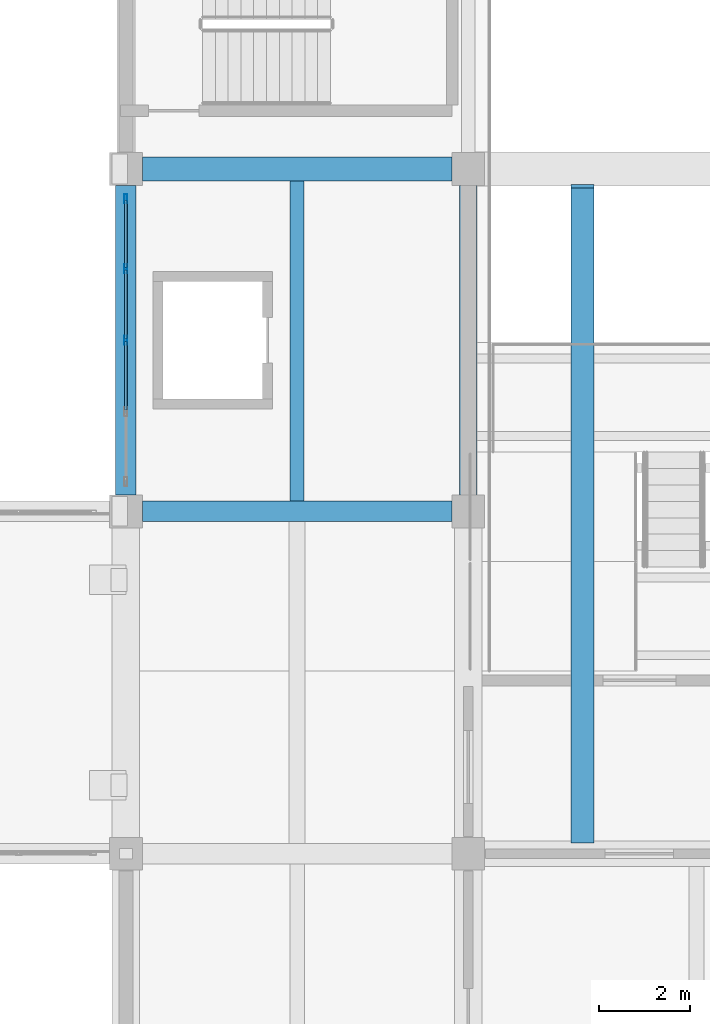
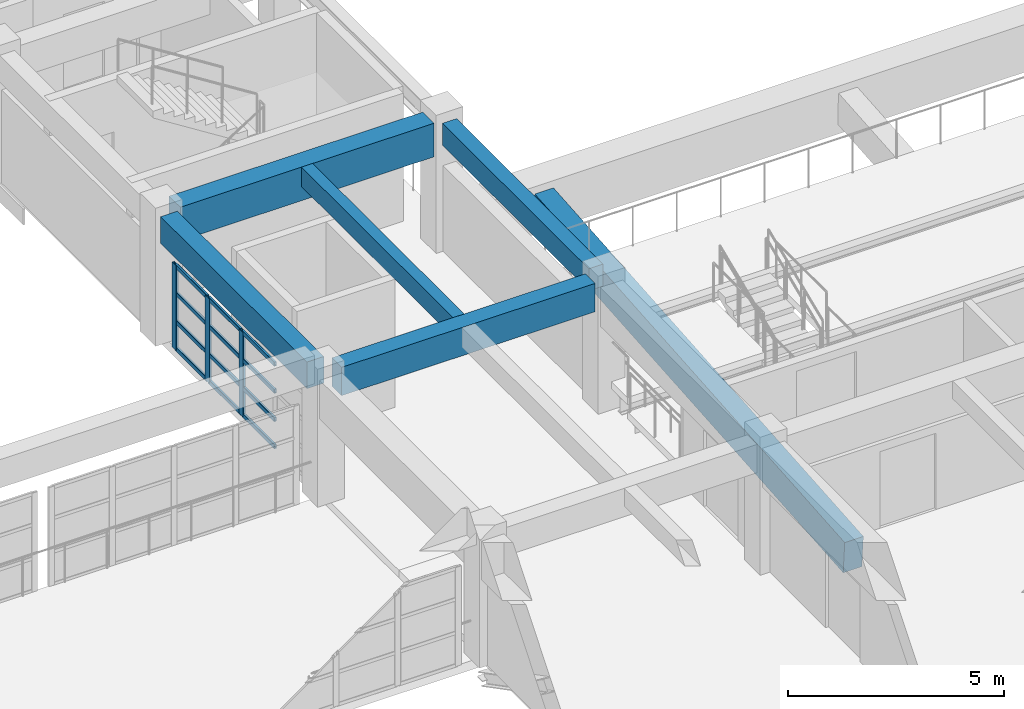
# One storey, part 36 of 101: 15 members, 6 beams, 1 element without a shape of its own.
"""IFC4 building model written with IfcOpenShell, lengths in metres."""

from ifc_helpers import new_model, si_unit, direction, frame, origin, origin_2d, place, context, subcontext, project, spatial, rectangle, hollow_rectangle, extrude, material, material_profile, profile_set, type_object, element, aggregate, save


model = new_model("IFC4")

# Units and contexts
model_context = context("Model", 3, precision=1e-05, world=origin(), true_north=direction((0.0, 1.0)))
body_context = subcontext(model_context, "Body", "Model", "MODEL_VIEW")
ifc_project = project(units=[si_unit("LENGTHUNIT", "METRE"), si_unit("AREAUNIT", "SQUARE_METRE"), si_unit("VOLUMEUNIT", "CUBIC_METRE"), si_unit("PLANEANGLEUNIT", "RADIAN"), si_unit("MASSUNIT", "GRAM", prefix="KILO")], contexts=[model_context])

# Site, building, storey
site_placement = place(None, origin())
site = spatial("IfcSite", under=ifc_project, at=site_placement, CompositionType="ELEMENT")
building_placement = place(site_placement, origin())
building = spatial("IfcBuilding", under=site, at=building_placement, Name="Qasida Concert Hall", CompositionType="ELEMENT")
storey_placement = place(building_placement, frame((0.0, 0.0, 13.199951171875)))
storey = spatial("IfcBuildingStorey", under=building, at=storey_placement, Name="L03", CompositionType="ELEMENT", Elevation=13.199951171875)

# Beams
ifc_material_1 = material(Name="Concrete C40/50", Category="concrete")
ifc_material_profile_1 = material_profile(ifc_material_1, rectangle(XDim=0.3798828125, YDim=0.6201171875, at=origin_2d()), Name="RC 380x620")
ifc_profile_set_1 = profile_set([ifc_material_profile_1], Name="Concrete C40/50")
beam_type_1 = type_object("IfcBeamType", Name="BM-B10", PredefinedType="BEAM", material=ifc_profile_set_1)
beam_1_placement = place(storey_placement, frame((60.0, 37.860107421875, 3.31005859375), z_axis=(0.0, 1.0, 0.0), x_axis=(-1.0, 0.0, 0.0)))
element("IfcBeam", 1, at=beam_1_placement, inside=storey, type_object=beam_type_1, Name="L03 girder 1550", PredefinedType="BEAM", context=body_context, shape_type="SweptSolid", body=[
    extrude(rectangle(XDim=0.3798828125, YDim=0.6201171875, at=origin_2d()), origin(), (0.0, 0.0, 1.0), 6.77978515625),
])
ifc_material_profile_2 = material_profile(ifc_material_1, rectangle(XDim=0.449951171875, YDim=0.800048828125, at=origin_2d()), Name="RC 450x800")
ifc_profile_set_2 = profile_set([ifc_material_profile_2], Name="Concrete C40/50")
beam_type_2 = type_object("IfcBeamType", Name="BM-G2", PredefinedType="USERDEFINED", material=ifc_profile_set_2)
beam_2_placement = place(storey_placement, frame((52.860107421875, 37.5, 3.219970703125), z_axis=(1.0, 0.0, 0.0), x_axis=(0.0, 1.0, 0.0)))
element("IfcBeam", 2, at=beam_2_placement, inside=storey, type_object=beam_type_2, Name="Primary girder 1520", ObjectType="GIRDER", PredefinedType="USERDEFINED", context=body_context, shape_type="SweptSolid", body=[
    extrude(rectangle(XDim=0.449951171875, YDim=0.800048828125, at=origin_2d()), origin(), (0.0, 0.0, 1.0), 6.77978515625),
])
ifc_material_profile_3 = material_profile(ifc_material_1, rectangle(XDim=0.52001953125, YDim=0.949951171875, at=origin_2d()), Name="RC 520x950")
ifc_profile_set_3 = profile_set([ifc_material_profile_3], Name="Concrete C40/50")
beam_type_3 = type_object("IfcBeamType", Name="BM-G7", PredefinedType="USERDEFINED", material=ifc_profile_set_3)
beam_3_placement = place(storey_placement, frame((52.860107421875, 45.0, 3.14501953125), z_axis=(1.0, 0.0, 0.0), x_axis=(0.0, 1.0, 0.0)))
element("IfcBeam", 3, at=beam_3_placement, inside=storey, type_object=beam_type_3, Name="Primary girder 1522", ObjectType="GIRDER", PredefinedType="USERDEFINED", context=body_context, shape_type="SweptSolid", body=[
    extrude(rectangle(XDim=0.52001953125, YDim=0.949951171875, at=origin_2d()), origin(), (0.0, 0.0, 1.0), 6.77978515625),
])
ifc_material_profile_4 = material_profile(ifc_material_1, rectangle(XDim=0.300048828125, YDim=0.550048828125, at=origin_2d()), Name="RC 300x550")
ifc_profile_set_4 = profile_set([ifc_material_profile_4], Name="Concrete C40/50")
beam_type_4 = type_object("IfcBeamType", Name="BM-J1", PredefinedType="JOIST", material=ifc_profile_set_4)
beam_4_placement = place(storey_placement, frame((56.25, 37.72509765625, 3.344970703125), z_axis=(0.0, 1.0, 0.0), x_axis=(-1.0, 0.0, 0.0)))
element("IfcBeam", 4, at=beam_4_placement, inside=storey, type_object=beam_type_4, Name="L03 secondary joist 1576", PredefinedType="JOIST", context=body_context, shape_type="SweptSolid", body=[
    extrude(rectangle(XDim=0.300048828125, YDim=0.550048828125, at=origin_2d()), origin(), (0.0, 0.0, 1.0), 7.014892578125),
])
ifc_material_profile_5 = material_profile(ifc_material_1, rectangle(XDim=0.5, YDim=0.89990234375, at=origin_2d()), Name="RC 500x900")
ifc_profile_set_5 = profile_set([ifc_material_profile_5], Name="Concrete C40/50")
beam_type_5 = type_object("IfcBeamType", Name="BM-RK1", PredefinedType="USERDEFINED", material=ifc_profile_set_5)
beam_5_placement = place(storey_placement, frame((62.5, 30.27490234375, -0.800048828125), z_axis=(0.0, 0.996803458468, 0.079892835633), x_axis=(-1.0, 0.0, 0.0)))
element("IfcBeam", 5, at=beam_5_placement, inside=storey, type_object=beam_type_5, Name="Raker beam RK-006", ObjectType="RAKER", PredefinedType="USERDEFINED", context=body_context, shape_type="SweptSolid", body=[
    extrude(rectangle(XDim=0.5, YDim=0.89990234375, at=origin_2d()), origin(), (0.0, 0.0, 1.0), 14.39599609375),
])
ifc_material_profile_6 = material_profile(ifc_material_1, rectangle(XDim=0.449951171875, YDim=0.75, at=origin_2d()), Name="RC 450x750")
ifc_profile_set_6 = profile_set([ifc_material_profile_6], Name="Concrete C40/50")
beam_type_6 = type_object("IfcBeamType", Name="BM-SP4", PredefinedType="SPANDREL", material=ifc_profile_set_6)
beam_6_placement = place(storey_placement, frame((52.5, 37.860107421875, 3.2451171875), z_axis=(0.0, 1.0, 0.0), x_axis=(-1.0, 0.0, 0.0)))
element("IfcBeam", 6, at=beam_6_placement, inside=storey, type_object=beam_type_6, Name="L03 girder 1544", PredefinedType="SPANDREL", context=body_context, shape_type="SweptSolid", body=[
    extrude(rectangle(XDim=0.449951171875, YDim=0.75, at=origin_2d()), origin(), (0.0, 0.0, 1.0), 6.77978515625),
])

# Curtain wall, members
ifc_material_2 = material(Name="Architectural bronze-anodized aluminium and low-E glass", Category="aluminium")
curtain_wall_type = type_object("IfcCurtainWallType", Name="CW-04", PredefinedType="NOTDEFINED", material=ifc_material_2)
curtain_wall_placement = place(storey_placement, origin())
curtain_wall = element("IfcCurtainWall", 7, at=curtain_wall_placement, inside=storey, type_object=curtain_wall_type, Name="L03 curtain wall CW-04 0052", PredefinedType="NOTDEFINED")
ifc_material_3 = material(Name="Architectural bronze-anodized aluminium EN AW-6063", Category="aluminium")
ifc_material_profile_7 = material_profile(ifc_material_3, hollow_rectangle(XDim=0.06494140625, YDim=0.199951171875, WallThickness=0.0048828125, InnerFilletRadius=0.0048828125, OuterFilletRadius=0.010009765625, at=origin_2d()), Name="CWM 200x65x5")
ifc_profile_set_7 = profile_set([ifc_material_profile_7], Name="Architectural bronze-anodized aluminium EN AW-6063")
member_type_1 = type_object("IfcMemberType", Name="MB-CWM-2", PredefinedType="MULLION", material=ifc_profile_set_7)
member_1_placement = place(storey_placement, frame((52.5, 41.25, 0.0), z_axis=(0.0, 0.0, 1.0), x_axis=(-1.0, 0.0, 0.0)))
member_1 = element("IfcMember", 8, at=member_1_placement, type_object=member_type_1, Name="CW-04 mullion 3", PredefinedType="MULLION", context=body_context, shape_type="SweptSolid", body=[
    extrude(hollow_rectangle(XDim=0.06494140625, YDim=0.199951171875, WallThickness=0.0048828125, InnerFilletRadius=0.0048828125, OuterFilletRadius=0.010009765625, at=origin_2d()), origin(), (0.0, 0.0, 1.0), 2.39013671875),
])
member_2_placement = place(storey_placement, frame((52.5, 42.81494140625, 0.0), z_axis=(0.0, 0.0, 1.0), x_axis=(-1.0, 0.0, 0.0)))
member_2 = element("IfcMember", 9, at=member_2_placement, type_object=member_type_1, Name="CW-04 mullion 4", PredefinedType="MULLION", context=body_context, shape_type="SweptSolid", body=[
    extrude(hollow_rectangle(XDim=0.06494140625, YDim=0.199951171875, WallThickness=0.0048828125, InnerFilletRadius=0.0048828125, OuterFilletRadius=0.010009765625, at=origin_2d()), origin(), (0.0, 0.0, 1.0), 2.39013671875),
])
member_3_placement = place(storey_placement, frame((52.5, 44.347412109375, 0.0), z_axis=(0.0, 0.0, 1.0), x_axis=(-1.0, 0.0, 0.0)))
member_3 = element("IfcMember", 10, at=member_3_placement, type_object=member_type_1, Name="CW-04 mullion 5", PredefinedType="MULLION", context=body_context, shape_type="SweptSolid", body=[
    extrude(hollow_rectangle(XDim=0.06494140625, YDim=0.199951171875, WallThickness=0.0048828125, InnerFilletRadius=0.0048828125, OuterFilletRadius=0.010009765625, at=origin_2d()), origin(), (0.0, 0.0, 1.0), 2.39013671875),
])
ifc_material_profile_8 = material_profile(ifc_material_3, hollow_rectangle(XDim=0.06005859375, YDim=0.1201171875, WallThickness=0.00390625, InnerFilletRadius=0.00390625, OuterFilletRadius=0.008056640625, at=origin_2d()), Name="CWT 120x60x4")
ifc_profile_set_8 = profile_set([ifc_material_profile_8], Name="Architectural bronze-anodized aluminium EN AW-6063")
member_type_2 = type_object("IfcMemberType", Name="MB-CWT-2", PredefinedType="USERDEFINED", material=ifc_profile_set_8)
member_4_placement = place(storey_placement, frame((52.5, 39.717529296875, 0.030029296875), z_axis=(0.0, 1.0, 0.0), x_axis=(-1.0, 0.0, 0.0)))
member_4 = element("IfcMember", 11, at=member_4_placement, type_object=member_type_2, Name="CW-04 transom 2.1", ObjectType="TRANSOM", PredefinedType="USERDEFINED", context=body_context, shape_type="SweptSolid", body=[
    extrude(hollow_rectangle(XDim=0.06005859375, YDim=0.1201171875, WallThickness=0.00390625, InnerFilletRadius=0.00390625, OuterFilletRadius=0.008056640625, at=origin_2d()), origin(), (0.0, 0.0, 1.0), 1.5),
])
member_5_placement = place(storey_placement, frame((52.5, 39.717529296875, 0.796630859375), z_axis=(0.0, 1.0, 0.0), x_axis=(-1.0, 0.0, 0.0)))
member_5 = element("IfcMember", 12, at=member_5_placement, type_object=member_type_2, Name="CW-04 transom 2.2", ObjectType="TRANSOM", PredefinedType="USERDEFINED", context=body_context, shape_type="SweptSolid", body=[
    extrude(hollow_rectangle(XDim=0.06005859375, YDim=0.1201171875, WallThickness=0.00390625, InnerFilletRadius=0.00390625, OuterFilletRadius=0.008056640625, at=origin_2d()), origin(), (0.0, 0.0, 1.0), 1.5),
])
member_6_placement = place(storey_placement, frame((52.5, 39.717529296875, 1.59326171875), z_axis=(0.0, 1.0, 0.0), x_axis=(-1.0, 0.0, 0.0)))
member_6 = element("IfcMember", 13, at=member_6_placement, type_object=member_type_2, Name="CW-04 transom 2.3", ObjectType="TRANSOM", PredefinedType="USERDEFINED", context=body_context, shape_type="SweptSolid", body=[
    extrude(hollow_rectangle(XDim=0.06005859375, YDim=0.1201171875, WallThickness=0.00390625, InnerFilletRadius=0.00390625, OuterFilletRadius=0.008056640625, at=origin_2d()), origin(), (0.0, 0.0, 1.0), 1.5),
])
member_7_placement = place(storey_placement, frame((52.5, 39.717529296875, 2.360107421875), z_axis=(0.0, 1.0, 0.0), x_axis=(-1.0, 0.0, 0.0)))
member_7 = element("IfcMember", 14, at=member_7_placement, type_object=member_type_2, Name="CW-04 transom 2.4", ObjectType="TRANSOM", PredefinedType="USERDEFINED", context=body_context, shape_type="SweptSolid", body=[
    extrude(hollow_rectangle(XDim=0.06005859375, YDim=0.1201171875, WallThickness=0.00390625, InnerFilletRadius=0.00390625, OuterFilletRadius=0.008056640625, at=origin_2d()), origin(), (0.0, 0.0, 1.0), 1.5),
])
member_8_placement = place(storey_placement, frame((52.5, 41.282470703125, 0.030029296875), z_axis=(0.0, 1.0, 0.0), x_axis=(-1.0, 0.0, 0.0)))
member_8 = element("IfcMember", 15, at=member_8_placement, type_object=member_type_2, Name="CW-04 transom 3.1", ObjectType="TRANSOM", PredefinedType="USERDEFINED", context=body_context, shape_type="SweptSolid", body=[
    extrude(hollow_rectangle(XDim=0.06005859375, YDim=0.1201171875, WallThickness=0.00390625, InnerFilletRadius=0.00390625, OuterFilletRadius=0.008056640625, at=origin_2d()), origin(), (0.0, 0.0, 1.0), 1.5),
])
member_9_placement = place(storey_placement, frame((52.5, 41.282470703125, 0.796630859375), z_axis=(0.0, 1.0, 0.0), x_axis=(-1.0, 0.0, 0.0)))
member_9 = element("IfcMember", 16, at=member_9_placement, type_object=member_type_2, Name="CW-04 transom 3.2", ObjectType="TRANSOM", PredefinedType="USERDEFINED", context=body_context, shape_type="SweptSolid", body=[
    extrude(hollow_rectangle(XDim=0.06005859375, YDim=0.1201171875, WallThickness=0.00390625, InnerFilletRadius=0.00390625, OuterFilletRadius=0.008056640625, at=origin_2d()), origin(), (0.0, 0.0, 1.0), 1.5),
])
member_10_placement = place(storey_placement, frame((52.5, 41.282470703125, 1.59326171875), z_axis=(0.0, 1.0, 0.0), x_axis=(-1.0, 0.0, 0.0)))
member_10 = element("IfcMember", 17, at=member_10_placement, type_object=member_type_2, Name="CW-04 transom 3.3", ObjectType="TRANSOM", PredefinedType="USERDEFINED", context=body_context, shape_type="SweptSolid", body=[
    extrude(hollow_rectangle(XDim=0.06005859375, YDim=0.1201171875, WallThickness=0.00390625, InnerFilletRadius=0.00390625, OuterFilletRadius=0.008056640625, at=origin_2d()), origin(), (0.0, 0.0, 1.0), 1.5),
])
member_11_placement = place(storey_placement, frame((52.5, 41.282470703125, 2.360107421875), z_axis=(0.0, 1.0, 0.0), x_axis=(-1.0, 0.0, 0.0)))
member_11 = element("IfcMember", 18, at=member_11_placement, type_object=member_type_2, Name="CW-04 transom 3.4", ObjectType="TRANSOM", PredefinedType="USERDEFINED", context=body_context, shape_type="SweptSolid", body=[
    extrude(hollow_rectangle(XDim=0.06005859375, YDim=0.1201171875, WallThickness=0.00390625, InnerFilletRadius=0.00390625, OuterFilletRadius=0.008056640625, at=origin_2d()), origin(), (0.0, 0.0, 1.0), 1.5),
])
member_12_placement = place(storey_placement, frame((52.5, 42.847412109375, 0.030029296875), z_axis=(0.0, 1.0, 0.0), x_axis=(-1.0, 0.0, 0.0)))
member_12 = element("IfcMember", 19, at=member_12_placement, type_object=member_type_2, Name="CW-04 transom 4.1", ObjectType="TRANSOM", PredefinedType="USERDEFINED", context=body_context, shape_type="SweptSolid", body=[
    extrude(hollow_rectangle(XDim=0.06005859375, YDim=0.1201171875, WallThickness=0.00390625, InnerFilletRadius=0.00390625, OuterFilletRadius=0.008056640625, at=origin_2d()), origin(), (0.0, 0.0, 1.0), 1.467529296875),
])
member_13_placement = place(storey_placement, frame((52.5, 42.847412109375, 0.796630859375), z_axis=(0.0, 1.0, 0.0), x_axis=(-1.0, 0.0, 0.0)))
member_13 = element("IfcMember", 20, at=member_13_placement, type_object=member_type_2, Name="CW-04 transom 4.2", ObjectType="TRANSOM", PredefinedType="USERDEFINED", context=body_context, shape_type="SweptSolid", body=[
    extrude(hollow_rectangle(XDim=0.06005859375, YDim=0.1201171875, WallThickness=0.00390625, InnerFilletRadius=0.00390625, OuterFilletRadius=0.008056640625, at=origin_2d()), origin(), (0.0, 0.0, 1.0), 1.467529296875),
])
member_14_placement = place(storey_placement, frame((52.5, 42.847412109375, 1.59326171875), z_axis=(0.0, 1.0, 0.0), x_axis=(-1.0, 0.0, 0.0)))
member_14 = element("IfcMember", 21, at=member_14_placement, type_object=member_type_2, Name="CW-04 transom 4.3", ObjectType="TRANSOM", PredefinedType="USERDEFINED", context=body_context, shape_type="SweptSolid", body=[
    extrude(hollow_rectangle(XDim=0.06005859375, YDim=0.1201171875, WallThickness=0.00390625, InnerFilletRadius=0.00390625, OuterFilletRadius=0.008056640625, at=origin_2d()), origin(), (0.0, 0.0, 1.0), 1.467529296875),
])
member_15_placement = place(storey_placement, frame((52.5, 42.847412109375, 2.360107421875), z_axis=(0.0, 1.0, 0.0), x_axis=(-1.0, 0.0, 0.0)))
member_15 = element("IfcMember", 22, at=member_15_placement, type_object=member_type_2, Name="CW-04 transom 4.4", ObjectType="TRANSOM", PredefinedType="USERDEFINED", context=body_context, shape_type="SweptSolid", body=[
    extrude(hollow_rectangle(XDim=0.06005859375, YDim=0.1201171875, WallThickness=0.00390625, InnerFilletRadius=0.00390625, OuterFilletRadius=0.008056640625, at=origin_2d()), origin(), (0.0, 0.0, 1.0), 1.467529296875),
])
aggregate(curtain_wall, [member_1, member_2, member_3, member_4, member_5, member_6, member_7, member_8, member_9, member_10, member_11, member_12, member_13, member_14, member_15])

save(model, "model.ifc")
